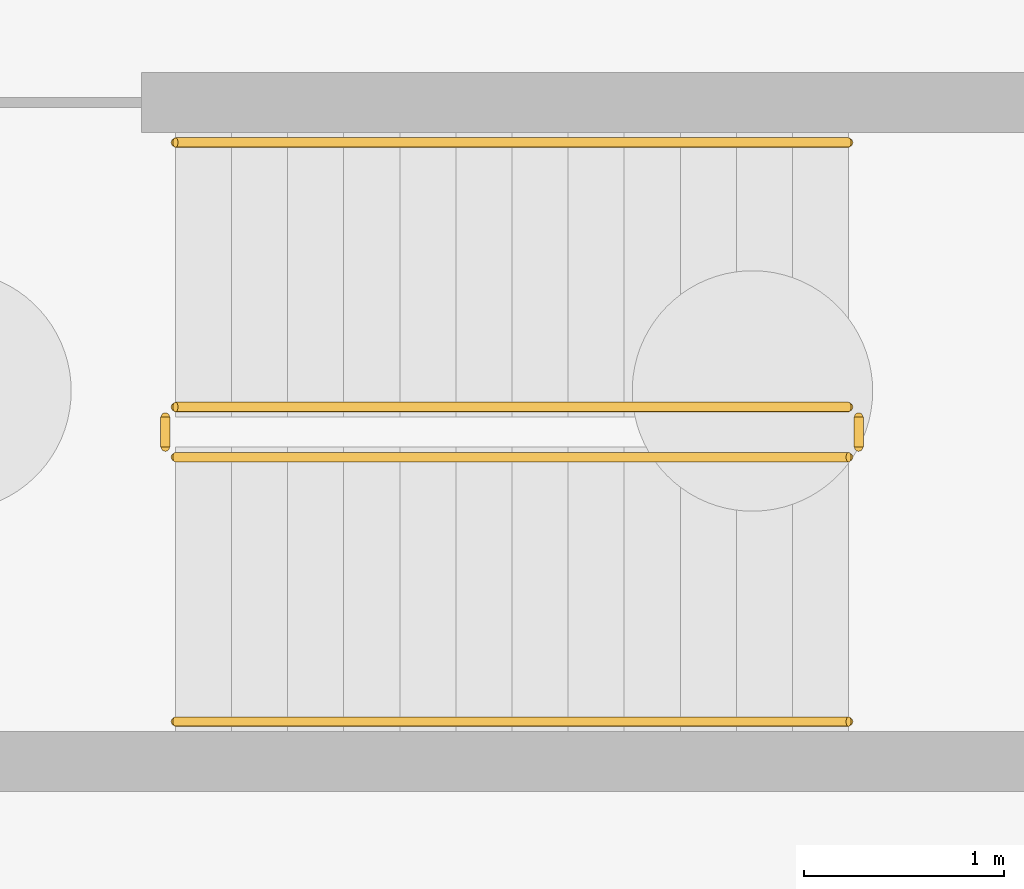
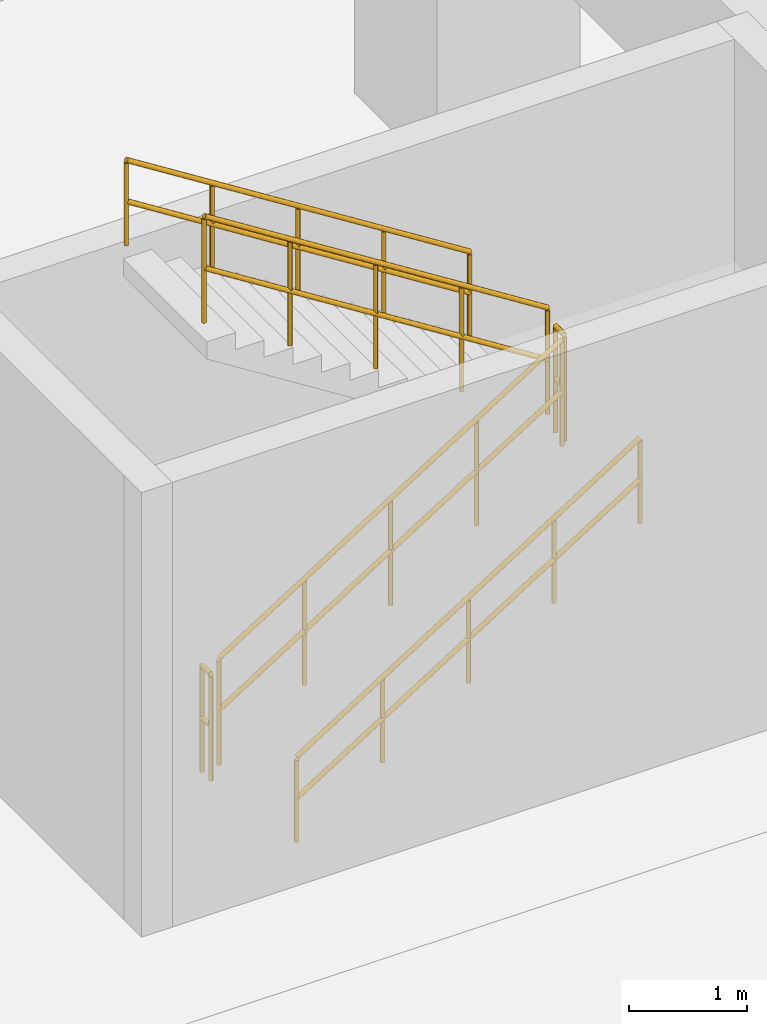
# One storey, part 7 of 9: 6 railings.
"""IFC4 building model written with IfcOpenShell, lengths in metres."""

from ifc_helpers import new_model, si_unit, direction, frame, origin, origin_2d, place, context, subcontext, project, spatial, circle, extrude, material, type_object, element, save


model = new_model("IFC4")

# Units and contexts
model_context = context("Model", 3, precision=1e-05, world=origin(), true_north=direction((0.0, 1.0)))
body_context = subcontext(model_context, "Body", "Model", "MODEL_VIEW")
ifc_project = project(units=[si_unit("LENGTHUNIT", "METRE"), si_unit("AREAUNIT", "SQUARE_METRE"), si_unit("VOLUMEUNIT", "CUBIC_METRE"), si_unit("PLANEANGLEUNIT", "RADIAN"), si_unit("MASSUNIT", "GRAM", prefix="KILO")], contexts=[model_context])

# Site, building, storey
site_placement = place(None, origin())
site = spatial("IfcSite", under=ifc_project, at=site_placement, CompositionType="ELEMENT")
building_placement = place(site_placement, origin())
building = spatial("IfcBuilding", under=site, at=building_placement, Name="Tarnavaz Court Tower", CompositionType="ELEMENT")
storey_placement = place(building_placement, frame((0.0, 0.0, -9.199951171875)))
storey = spatial("IfcBuildingStorey", under=building, at=storey_placement, Name="B02", CompositionType="ELEMENT", Elevation=-9.199951171875)

# Railings
ifc_material_1 = material(Name="Brushed Stainless Steel", Category="steel")
railing_type_1 = type_object("IfcRailingType", Name="RL-HANDRAIL-900", PredefinedType="HANDRAIL", material=ifc_material_1)
railing_1_placement = place(storey_placement, frame((21.1201171875, -22.64990234375, 0.1767578125)))
element("IfcRailing", 1, at=railing_1_placement, inside=storey, type_object=railing_type_1, Name="B02 ST-P1 stair handrail 1", PredefinedType="HANDRAIL", context=body_context, shape_type="SweptSolid", body=[
    extrude(circle(Radius=0.02392578125, at=origin_2d()), frame((0.0, 0.0, 0.8759765625), z_axis=(0.845344368971, 0.0, 0.534221768416), x_axis=(0.0, 1.0, 0.0)), (0.0, 0.0, 1.0), 3.974609375),
    extrude(circle(Radius=0.02392578125, at=origin_2d()), frame((0.0, 0.0, 0.449951171875), z_axis=(0.845344368971, 0.0, 0.534221768416), x_axis=(0.0, 1.0, 0.0)), (0.0, 0.0, 1.0), 3.974609375),
    extrude(circle(Radius=0.02099609375, at=origin_2d()), origin(), (0.0, 0.0, 1.0), 0.851806640625),
    extrude(circle(Radius=0.02099609375, at=origin_2d()), frame((0.83984375, 0.0, 0.53076171875)), (0.0, 0.0, 1.0), 0.851806640625),
    extrude(circle(Radius=0.02099609375, at=origin_2d()), frame((1.679931640625, 0.0, 1.0615234375)), (0.0, 0.0, 1.0), 0.851806640625),
    extrude(circle(Radius=0.02099609375, at=origin_2d()), frame((2.52001953125, 0.0, 1.592529296875)), (0.0, 0.0, 1.0), 0.851806640625),
    extrude(circle(Radius=0.02099609375, at=origin_2d()), frame((3.35986328125, 0.0, 2.123291015625)), (0.0, 0.0, 1.0), 0.851806640625),
])
railing_2_placement = place(storey_placement, frame((24.47998046875, -19.760009765625, 2.476806640625)))
element("IfcRailing", 2, at=railing_2_placement, inside=storey, type_object=railing_type_1, Name="B02 ST-P1 stair handrail 2", PredefinedType="HANDRAIL", context=body_context, shape_type="SweptSolid", body=[
    extrude(circle(Radius=0.02392578125, at=origin_2d()), frame((0.0, 0.0, 0.8759765625), z_axis=(-0.845372108799, 0.0, 0.534177870812), x_axis=(0.0, -1.0, 0.0)), (0.0, 0.0, 1.0), 3.974365234375),
    extrude(circle(Radius=0.02392578125, at=origin_2d()), frame((0.0, 0.0, 0.449951171875), z_axis=(-0.845372108799, 0.0, 0.534177870812), x_axis=(0.0, -1.0, 0.0)), (0.0, 0.0, 1.0), 3.974365234375),
    extrude(circle(Radius=0.02099609375, at=origin_2d()), origin(), (0.0, 0.0, 1.0), 0.851806640625),
    extrude(circle(Radius=0.02099609375, at=origin_2d()), frame((-0.83984375, 0.0, 0.53076171875)), (0.0, 0.0, 1.0), 0.851806640625),
    extrude(circle(Radius=0.02099609375, at=origin_2d()), frame((-1.679931640625, 0.0, 1.0615234375)), (0.0, 0.0, 1.0), 0.851806640625),
    extrude(circle(Radius=0.02099609375, at=origin_2d()), frame((-2.52001953125, 0.0, 1.59228515625)), (0.0, 0.0, 1.0), 0.851806640625),
    extrude(circle(Radius=0.02099609375, at=origin_2d()), frame((-3.35986328125, 0.0, 2.123046875)), (0.0, 0.0, 1.0), 0.851806640625),
])
ifc_material_2 = material(Name="Galvanized Painted Tubular Steel", Category="steel")
railing_type_2 = type_object("IfcRailingType", Name="RL-STGUARD-1120", PredefinedType="GUARDRAIL", material=ifc_material_2)
railing_3_placement = place(storey_placement, frame((21.1201171875, -21.330078125, 0.1767578125)))
element("IfcRailing", 3, at=railing_3_placement, inside=storey, type_object=railing_type_2, Name="B02 ST-P1 stair guard 1", PredefinedType="GUARDRAIL", context=body_context, shape_type="SweptSolid", body=[
    extrude(circle(Radius=0.02392578125, at=origin_2d()), frame((0.0, 0.0, 1.09619140625), z_axis=(0.845344368971, 0.0, 0.534221768416), x_axis=(0.0, 1.0, 0.0)), (0.0, 0.0, 1.0), 3.974609375),
    extrude(circle(Radius=0.02392578125, at=origin_2d()), frame((0.0, 0.0, 0.56005859375), z_axis=(0.845344368971, 0.0, 0.534221768416), x_axis=(0.0, 1.0, 0.0)), (0.0, 0.0, 1.0), 3.974609375),
    extrude(circle(Radius=0.02099609375, at=origin_2d()), origin(), (0.0, 0.0, 1.0), 1.072021484375),
    extrude(circle(Radius=0.02099609375, at=origin_2d()), frame((0.83984375, 0.0, 0.53076171875)), (0.0, 0.0, 1.0), 1.072021484375),
    extrude(circle(Radius=0.02099609375, at=origin_2d()), frame((1.679931640625, 0.0, 1.0615234375)), (0.0, 0.0, 1.0), 1.072021484375),
    extrude(circle(Radius=0.02099609375, at=origin_2d()), frame((2.52001953125, 0.0, 1.592529296875)), (0.0, 0.0, 1.0), 1.072021484375),
    extrude(circle(Radius=0.02099609375, at=origin_2d()), frame((3.35986328125, 0.0, 2.123291015625)), (0.0, 0.0, 1.0), 1.072021484375),
])
railing_4_placement = place(storey_placement, frame((24.530029296875, -21.280029296875, 2.300048828125)))
element("IfcRailing", 4, at=railing_4_placement, inside=storey, type_object=railing_type_2, Name="B02 ST-P1 stair guard 2", PredefinedType="GUARDRAIL", context=body_context, shape_type="SweptSolid", body=[
    extrude(circle(Radius=0.02392578125, at=origin_2d()), frame((0.0, 0.0, 1.09619140625), z_axis=(0.0, 1.0, 0.0), x_axis=(-1.0, 0.0, 0.0)), (0.0, 0.0, 1.0), 0.150146484375),
    extrude(circle(Radius=0.02392578125, at=origin_2d()), frame((0.0, 0.0, 0.56005859375), z_axis=(0.0, 1.0, 0.0), x_axis=(-1.0, 0.0, 0.0)), (0.0, 0.0, 1.0), 0.150146484375),
    extrude(circle(Radius=0.02099609375, at=origin_2d()), origin(), (0.0, 0.0, 1.0), 1.072021484375),
    extrude(circle(Radius=0.02099609375, at=origin_2d()), frame((0.0, 0.150146484375, 0.0)), (0.0, 0.0, 1.0), 1.072021484375),
])
railing_5_placement = place(storey_placement, frame((24.47998046875, -21.080078125, 2.476806640625)))
element("IfcRailing", 5, at=railing_5_placement, inside=storey, type_object=railing_type_2, Name="B02 ST-P1 stair guard 3", PredefinedType="GUARDRAIL", context=body_context, shape_type="SweptSolid", body=[
    extrude(circle(Radius=0.02392578125, at=origin_2d()), frame((0.0, 0.0, 1.09619140625), z_axis=(-0.845372108799, 0.0, 0.534177870812), x_axis=(0.0, -1.0, 0.0)), (0.0, 0.0, 1.0), 3.974365234375),
    extrude(circle(Radius=0.02392578125, at=origin_2d()), frame((0.0, 0.0, 0.56005859375), z_axis=(-0.845372108799, 0.0, 0.534177870812), x_axis=(0.0, -1.0, 0.0)), (0.0, 0.0, 1.0), 3.974365234375),
    extrude(circle(Radius=0.02099609375, at=origin_2d()), origin(), (0.0, 0.0, 1.0), 1.072021484375),
    extrude(circle(Radius=0.02099609375, at=origin_2d()), frame((-0.83984375, 0.0, 0.53076171875)), (0.0, 0.0, 1.0), 1.072021484375),
    extrude(circle(Radius=0.02099609375, at=origin_2d()), frame((-1.679931640625, 0.0, 1.0615234375)), (0.0, 0.0, 1.0), 1.072021484375),
    extrude(circle(Radius=0.02099609375, at=origin_2d()), frame((-2.52001953125, 0.0, 1.59228515625)), (0.0, 0.0, 1.0), 1.072021484375),
    extrude(circle(Radius=0.02099609375, at=origin_2d()), frame((-3.35986328125, 0.0, 2.123046875)), (0.0, 0.0, 1.0), 1.072021484375),
])
railing_6_placement = place(storey_placement, frame((21.070068359375, -21.280029296875, 0.0)))
element("IfcRailing", 6, at=railing_6_placement, inside=storey, type_object=railing_type_2, Name="B02 ST-P1 stair guard 4", PredefinedType="GUARDRAIL", context=body_context, shape_type="SweptSolid", body=[
    extrude(circle(Radius=0.02392578125, at=origin_2d()), frame((0.0, 0.0, 1.09619140625), z_axis=(0.0, 1.0, 0.0), x_axis=(-1.0, 0.0, 0.0)), (0.0, 0.0, 1.0), 0.150146484375),
    extrude(circle(Radius=0.02392578125, at=origin_2d()), frame((0.0, 0.0, 0.56005859375), z_axis=(0.0, 1.0, 0.0), x_axis=(-1.0, 0.0, 0.0)), (0.0, 0.0, 1.0), 0.150146484375),
    extrude(circle(Radius=0.02099609375, at=origin_2d()), origin(), (0.0, 0.0, 1.0), 1.072021484375),
    extrude(circle(Radius=0.02099609375, at=origin_2d()), frame((0.0, 0.150146484375, 0.0)), (0.0, 0.0, 1.0), 1.072021484375),
])

save(model, "model.ifc")
